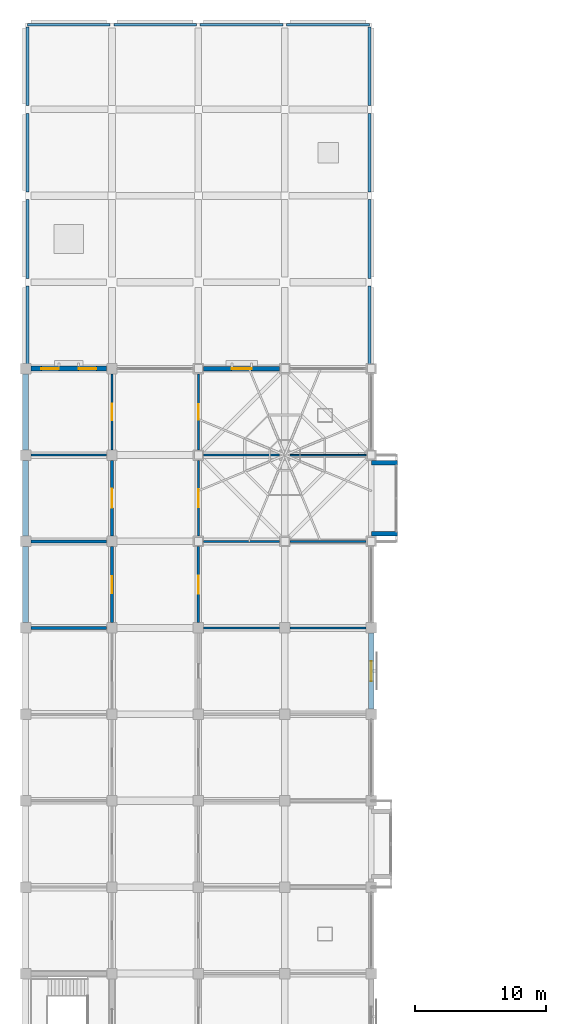
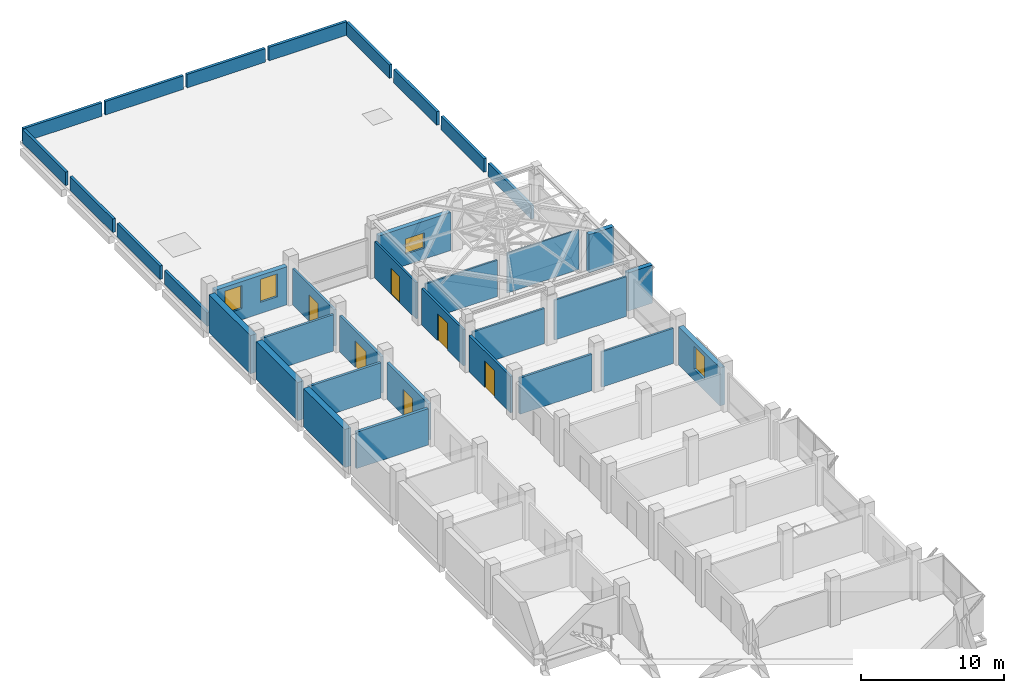
# One storey, part 23 of 30: 35 walls, 6 doors, 4 windows, 10 openings.
"""IFC4 building model written with IfcOpenShell, lengths in metres."""

from ifc_helpers import new_model, si_unit, direction, frame, frame_2d, origin, place, context, subcontext, project, spatial, rectangle, extrude, material, layer, layer_set, type_object, element, fill, save


model = new_model("IFC4")

# Units and contexts
model_context = context("Model", 3, precision=1e-05, world=origin(), true_north=direction((0.0, 1.0)))
body_context = subcontext(model_context, "Body", "Model", "MODEL_VIEW")
ifc_project = project(units=[si_unit("LENGTHUNIT", "METRE"), si_unit("AREAUNIT", "SQUARE_METRE"), si_unit("VOLUMEUNIT", "CUBIC_METRE"), si_unit("PLANEANGLEUNIT", "RADIAN"), si_unit("MASSUNIT", "GRAM", prefix="KILO")], contexts=[model_context])

# Site, building, storey
site_placement = place(None, origin())
site = spatial("IfcSite", under=ifc_project, at=site_placement, CompositionType="ELEMENT")
building_placement = place(site_placement, origin())
building = spatial("IfcBuilding", under=site, at=building_placement, Name="Rusizi Kubbe Research Institute", CompositionType="ELEMENT")
storey_placement = place(building_placement, frame((0.0, 0.0, 10.199951171875)))
storey = spatial("IfcBuildingStorey", under=building, at=storey_placement, Name="L02", CompositionType="ELEMENT", Elevation=10.199951171875)

# Wall, openings, windows
ifc_material_1 = material(Name="Volcanic Basalt Ashlar Masonry", Category="masonry")
ifc_layer_1 = layer(ifc_material_1, 0.385009765625)
ifc_layer_set_1 = layer_set([ifc_layer_1], Name="Volcanic Basalt Ashlar Masonry")
wall_type_1 = type_object("IfcWallType", Name="EW-04", PredefinedType="SOLIDWALL", material=ifc_layer_set_1)
wall_1_placement = place(storey_placement, frame((0.39990234375, 118.800048828125, 0.0), z_axis=(0.0, 0.0, 1.0), x_axis=(1.0, 0.0, 0.0)))
wall_1 = element("IfcWall", 1, at=wall_1_placement, inside=storey, type_object=wall_type_1, Name="Ablaq Stone Exterior Wall L02 H0-18", PredefinedType="SOLIDWALL", context=body_context, shape_type="SweptSolid", body=[
    extrude(rectangle(XDim=5.800048828125, YDim=0.385009765625, at=frame_2d((2.89990234375, 0.0))), origin(), (0.0, 0.0, 1.0), 3.25),
])
opening_1_placement = place(wall_1_placement, frame((0.800048828125, 0.0, 0.949951171875)))
opening_1 = element("IfcOpeningElement", 2, at=opening_1_placement, cuts=wall_1, Name="Opening WN-16", PredefinedType="OPENING", context=body_context, shape_type="SweptSolid", body=[
    extrude(rectangle(XDim=1.340087890625, YDim=1.9599609375, at=frame_2d((0.669921875, 0.97998046875))), frame((0.0, 0.202392578125, 0.0), z_axis=(0.0, -1.0, 0.0), x_axis=(1.0, 0.0, 0.0)), (0.0, 0.0, 1.0), 0.405029296875),
])
opening_2_placement = place(wall_1_placement, frame((3.659912109375, 0.0, 0.949951171875)))
opening_2 = element("IfcOpeningElement", 3, at=opening_2_placement, cuts=wall_1, Name="Opening WN-16", PredefinedType="OPENING", context=body_context, shape_type="SweptSolid", body=[
    extrude(rectangle(XDim=1.340087890625, YDim=1.9599609375, at=frame_2d((0.669921875, 0.97998046875))), frame((0.0, 0.202392578125, 0.0), z_axis=(0.0, -1.0, 0.0), x_axis=(1.0, 0.0, 0.0)), (0.0, 0.0, 1.0), 0.405029296875),
])
ifc_material_2 = material(Name="Aluminium Frame and Solar-Control Double Glazing", Category="glass")
window_type_1 = type_object("IfcWindowType", Name="WN-16", PartitioningType="SINGLE_PANEL", PredefinedType="WINDOW", material=ifc_material_2)
window_1_placement = place(opening_1_placement, origin())
window_1 = element("IfcWindow", 4, at=window_1_placement, inside=storey, type_object=window_type_1, Name="Casement Window WN-16 L02", OverallHeight=1.9599609375, OverallWidth=1.340087890625, PartitioningType="SINGLE_PANEL", PredefinedType="WINDOW", context=body_context, shape_type="SweptSolid", body=[
    extrude(rectangle(XDim=1.340087890625, YDim=1.9599609375, at=frame_2d((0.669921875, 0.97998046875))), frame((0.0, 0.030029296875, 0.0), z_axis=(0.0, -1.0, 0.0), x_axis=(1.0, 0.0, 0.0)), (0.0, 0.0, 1.0), 0.06005859375),
])
fill(opening_1, window_1)
window_2_placement = place(opening_2_placement, origin())
window_2 = element("IfcWindow", 5, at=window_2_placement, inside=storey, type_object=window_type_1, Name="Casement Window WN-16 L02", OverallHeight=1.9599609375, OverallWidth=1.340087890625, PartitioningType="SINGLE_PANEL", PredefinedType="WINDOW", context=body_context, shape_type="SweptSolid", body=[
    extrude(rectangle(XDim=1.340087890625, YDim=1.9599609375, at=frame_2d((0.669921875, 0.97998046875))), frame((0.0, 0.030029296875, 0.0), z_axis=(0.0, -1.0, 0.0), x_axis=(1.0, 0.0, 0.0)), (0.0, 0.0, 1.0), 0.06005859375),
])
fill(opening_2, window_2)

# Wall, opening, window
wall_2_placement = place(storey_placement, frame((26.39990234375, 92.800048828125, 0.0), z_axis=(0.0, 0.0, 1.0), x_axis=(0.0, 1.0, 0.0)))
wall_2 = element("IfcWall", 6, at=wall_2_placement, inside=storey, type_object=wall_type_1, Name="Ablaq Stone Exterior Wall L02 V4-14", PredefinedType="SOLIDWALL", context=body_context, shape_type="SweptSolid", body=[
    extrude(rectangle(XDim=5.800048828125, YDim=0.385009765625, at=frame_2d((2.89990234375, 0.0))), origin(), (0.0, 0.0, 1.0), 3.25),
])
opening_3_placement = place(wall_2_placement, frame((2.139892578125, 0.0, 0.949951171875)))
opening_3 = element("IfcOpeningElement", 7, at=opening_3_placement, cuts=wall_2, Name="Opening WN-20", PredefinedType="OPENING", context=body_context, shape_type="SweptSolid", body=[
    extrude(rectangle(XDim=1.52001953125, YDim=1.9599609375, at=frame_2d((0.760009765625, 0.97998046875))), frame((0.0, 0.202392578125, 0.0), z_axis=(0.0, -1.0, 0.0), x_axis=(1.0, 0.0, 0.0)), (0.0, 0.0, 1.0), 0.405029296875),
])
ifc_material_3 = material(Name="Aluminium Frame and Solar-Control Double Glazing", Category="glass")
window_type_2 = type_object("IfcWindowType", Name="WN-20", PartitioningType="DOUBLE_PANEL_VERTICAL", PredefinedType="WINDOW", material=ifc_material_3)
window_3_placement = place(opening_3_placement, origin())
window_3 = element("IfcWindow", 8, at=window_3_placement, inside=storey, type_object=window_type_2, Name="Casement Window WN-20 L02", OverallHeight=1.9599609375, OverallWidth=1.52001953125, PartitioningType="DOUBLE_PANEL_VERTICAL", PredefinedType="WINDOW", context=body_context, shape_type="SweptSolid", body=[
    extrude(rectangle(XDim=1.52001953125, YDim=1.9599609375, at=frame_2d((0.760009765625, 0.97998046875))), frame((0.0, 0.030029296875, 0.0), z_axis=(0.0, -1.0, 0.0), x_axis=(1.0, 0.0, 0.0)), (0.0, 0.0, 1.0), 0.06005859375),
])
fill(opening_3, window_3)

ifc_material_4 = material(Name="Volcanic Basalt Ashlar Masonry", Category="masonry")
ifc_layer_2 = layer(ifc_material_4, 0.35498046875)
ifc_layer_set_2 = layer_set([ifc_layer_2], Name="Volcanic Basalt Ashlar Masonry")
wall_type_2 = type_object("IfcWallType", Name="EW-06", PredefinedType="SOLIDWALL", material=ifc_layer_set_2)
wall_3_placement = place(storey_placement, frame((13.60009765625, 118.800048828125, 0.0), z_axis=(0.0, 0.0, 1.0), x_axis=(1.0, 0.0, 0.0)))
wall_3 = element("IfcWall", 9, at=wall_3_placement, inside=storey, type_object=wall_type_2, Name="Ablaq Stone Exterior Wall L02 H2-18", PredefinedType="SOLIDWALL", context=body_context, shape_type="SweptSolid", body=[
    extrude(rectangle(XDim=5.7998046875, YDim=0.35498046875, at=frame_2d((2.89990234375, 0.0))), origin(), (0.0, 0.0, 1.0), 3.25),
])
opening_4_placement = place(wall_3_placement, frame((2.139892578125, 0.0, 0.949951171875)))
opening_4 = element("IfcOpeningElement", 10, at=opening_4_placement, cuts=wall_3, Name="Opening WN-17", PredefinedType="OPENING", context=body_context, shape_type="SweptSolid", body=[
    extrude(rectangle(XDim=1.52001953125, YDim=1.300048828125, at=frame_2d((0.760009765625, 0.64990234375))), frame((0.0, 0.1875, 0.0), z_axis=(0.0, -1.0, 0.0), x_axis=(1.0, 0.0, 0.0)), (0.0, 0.0, 1.0), 0.375),
])
ifc_material_5 = material(Name="Aluminium Frame and Solar-Control Double Glazing", Category="glass")
window_type_3 = type_object("IfcWindowType", Name="WN-17", PartitioningType="DOUBLE_PANEL_VERTICAL", PredefinedType="WINDOW", material=ifc_material_5)
window_4_placement = place(opening_4_placement, origin())
window_4 = element("IfcWindow", 11, at=window_4_placement, inside=storey, type_object=window_type_3, Name="Casement Window WN-17 L02", OverallHeight=1.300048828125, OverallWidth=1.52001953125, PartitioningType="DOUBLE_PANEL_VERTICAL", PredefinedType="WINDOW", context=body_context, shape_type="SweptSolid", body=[
    extrude(rectangle(XDim=1.52001953125, YDim=1.300048828125, at=frame_2d((0.760009765625, 0.64990234375))), frame((0.0, 0.030029296875, 0.0), z_axis=(0.0, -1.0, 0.0), x_axis=(1.0, 0.0, 0.0)), (0.0, 0.0, 1.0), 0.06005859375),
])
fill(opening_4, window_4)

# Walls
for number, where, z_axis, x_axis, name in (
    (12, (26.39990234375, 106.199951171875, 0.0), (0.0, 0.0, 1.0), (1.0, 0.0, 0.0), "Cumba Return Wall S L02 (4,16)"),
    (13, (26.39990234375, 111.60009765625, 0.0), (0.0, 0.0, 1.0), (1.0, 0.0, 0.0), "Cumba Return Wall N L02 (4,16)"),
):
    element("IfcWall", number, at=place(storey_placement, frame(where, z_axis=z_axis, x_axis=x_axis)), inside=storey, type_object=wall_type_2, Name=name, PredefinedType="SOLIDWALL", context=body_context, shape_type="SweptSolid", body=[
        extrude(rectangle(XDim=2.0, YDim=0.35498046875, at=frame_2d((1.0, 0.0))), origin(), (0.0, 0.0, 1.0), 3.25),
    ])
ifc_material_6 = material(Name="Concrete Blockwork Fire Partition", Category="masonry")
ifc_layer_3 = layer(ifc_material_6, 0.22509765625)
ifc_layer_set_3 = layer_set([ifc_layer_3], Name="Concrete Blockwork Fire Partition")
wall_type_3 = type_object("IfcWallType", Name="IW-01", PredefinedType="PARTITIONING", material=ifc_layer_set_3)
wall_4_placement = place(storey_placement, frame((0.39990234375, 99.0, 0.0), z_axis=(0.0, 0.0, 1.0), x_axis=(1.0, 0.0, 0.0)))
element("IfcWall", 14, at=wall_4_placement, inside=storey, type_object=wall_type_3, Name="Interior Partition Wall L02 H0-15", PredefinedType="PARTITIONING", context=body_context, shape_type="SweptSolid", body=[
    extrude(rectangle(XDim=5.800048828125, YDim=0.22509765625, at=frame_2d((2.89990234375, 0.0))), origin(), (0.0, 0.0, 1.0), 3.10009765625),
])

# Wall, opening, door
wall_5_placement = place(storey_placement, frame((6.60009765625, 99.39990234375, 0.0), z_axis=(0.0, 0.0, 1.0), x_axis=(0.0, 1.0, 0.0)))
wall_5 = element("IfcWall", 15, at=wall_5_placement, inside=storey, type_object=wall_type_3, Name="Interior Partition Wall L02 V1-15", PredefinedType="PARTITIONING", context=body_context, shape_type="SweptSolid", body=[
    extrude(rectangle(XDim=5.800048828125, YDim=0.22509765625, at=frame_2d((2.89990234375, 0.0))), origin(), (0.0, 0.0, 1.0), 3.10009765625),
])
opening_5_placement = place(wall_5_placement, frame((2.239990234375, 0.0, 0.0)))
opening_5 = element("IfcOpeningElement", 16, at=opening_5_placement, cuts=wall_5, Name="Opening LD-07", PredefinedType="OPENING", context=body_context, shape_type="SweptSolid", body=[
    extrude(rectangle(XDim=1.320068359375, YDim=2.199951171875, at=frame_2d((0.66015625, 1.10009765625))), frame((0.0, 0.12255859375, 0.0), z_axis=(0.0, -1.0, 0.0), x_axis=(1.0, 0.0, 0.0)), (0.0, 0.0, 1.0), 0.2451171875),
])
ifc_material_7 = material(Name="Brushed Stainless Steel Sliding Door", Category="steel")
door_type_1 = type_object("IfcDoorType", Name="LD-07", OperationType="DOUBLE_DOOR_SLIDING", PredefinedType="USERDEFINED", material=ifc_material_7)
door_1_placement = place(opening_5_placement, origin())
door_1 = element("IfcDoor", 17, at=door_1_placement, inside=storey, type_object=door_type_1, Name="Door to Clean Room Gowning Airlock (L02-ALK-15)", ObjectType="SLIDING DOOR", OperationType="DOUBLE_DOOR_SLIDING", OverallHeight=2.199951171875, OverallWidth=1.320068359375, PredefinedType="USERDEFINED", context=body_context, shape_type="SweptSolid", body=[
    extrude(rectangle(XDim=1.320068359375, YDim=2.199951171875, at=frame_2d((0.66015625, 1.10009765625))), frame((0.0, 0.02490234375, 0.0), z_axis=(0.0, -1.0, 0.0), x_axis=(1.0, 0.0, 0.0)), (0.0, 0.0, 1.0), 0.050048828125),
])
fill(opening_5, door_1)

# Wall
ifc_material_8 = material(Name="Insulated Cleanroom Partition", Category="masonry")
ifc_layer_4 = layer(ifc_material_8, 0.195068359375)
ifc_layer_set_4 = layer_set([ifc_layer_4], Name="Insulated Cleanroom Partition")
wall_type_4 = type_object("IfcWallType", Name="IW-02", PredefinedType="PARTITIONING", material=ifc_layer_set_4)
wall_6_placement = place(storey_placement, frame((0.39990234375, 105.60009765625, 0.0), z_axis=(0.0, 0.0, 1.0), x_axis=(1.0, 0.0, 0.0)))
element("IfcWall", 18, at=wall_6_placement, inside=storey, type_object=wall_type_4, Name="Interior Partition Wall L02 H0-16", PredefinedType="PARTITIONING", context=body_context, shape_type="SweptSolid", body=[
    extrude(rectangle(XDim=5.800048828125, YDim=0.195068359375, at=frame_2d((2.89990234375, 0.0))), origin(), (0.0, 0.0, 1.0), 3.0),
])

# Wall, opening, door
wall_7_placement = place(storey_placement, frame((6.60009765625, 106.0, 0.0), z_axis=(0.0, 0.0, 1.0), x_axis=(0.0, 1.0, 0.0)))
wall_7 = element("IfcWall", 19, at=wall_7_placement, inside=storey, type_object=wall_type_4, Name="Interior Partition Wall L02 V1-16", PredefinedType="PARTITIONING", context=body_context, shape_type="SweptSolid", body=[
    extrude(rectangle(XDim=5.800048828125, YDim=0.195068359375, at=frame_2d((2.89990234375, 0.0))), origin(), (0.0, 0.0, 1.0), 3.10009765625),
])
opening_6_placement = place(wall_7_placement, frame((2.159912109375, 0.0, 0.0)))
opening_6 = element("IfcOpeningElement", 20, at=opening_6_placement, cuts=wall_7, Name="Opening LD-08", PredefinedType="OPENING", context=body_context, shape_type="SweptSolid", body=[
    extrude(rectangle(XDim=1.47998046875, YDim=2.25, at=frame_2d((0.739990234375, 1.125))), frame((0.0, 0.107421875, 0.0), z_axis=(0.0, -1.0, 0.0), x_axis=(1.0, 0.0, 0.0)), (0.0, 0.0, 1.0), 0.215087890625),
])
ifc_material_9 = material(Name="Brushed Stainless Steel Sliding Door", Category="steel")
door_type_2 = type_object("IfcDoorType", Name="LD-08", OperationType="DOUBLE_DOOR_SLIDING", PredefinedType="USERDEFINED", material=ifc_material_9)
door_2_placement = place(opening_6_placement, origin())
door_2 = element("IfcDoor", 21, at=door_2_placement, inside=storey, type_object=door_type_2, Name="Door to ISO-6 Clean Room Suite (L02-CR-16)", ObjectType="SLIDING DOOR", OperationType="DOUBLE_DOOR_SLIDING", OverallHeight=2.25, OverallWidth=1.47998046875, PredefinedType="USERDEFINED", context=body_context, shape_type="SweptSolid", body=[
    extrude(rectangle(XDim=1.47998046875, YDim=2.25, at=frame_2d((0.739990234375, 1.125))), frame((0.0, 0.02490234375, 0.0), z_axis=(0.0, -1.0, 0.0), x_axis=(1.0, 0.0, 0.0)), (0.0, 0.0, 1.0), 0.050048828125),
])
fill(opening_6, door_2)

wall_8_placement = place(storey_placement, frame((13.199951171875, 99.39990234375, 0.0), z_axis=(0.0, 0.0, 1.0), x_axis=(0.0, 1.0, 0.0)))
wall_8 = element("IfcWall", 22, at=wall_8_placement, inside=storey, type_object=wall_type_4, Name="Interior Partition Wall L02 V2-15", PredefinedType="PARTITIONING", context=body_context, shape_type="SweptSolid", body=[
    extrude(rectangle(XDim=5.800048828125, YDim=0.195068359375, at=frame_2d((2.89990234375, 0.0))), origin(), (0.0, 0.0, 1.0), 3.10009765625),
])
opening_7_placement = place(wall_8_placement, frame((2.199951171875, 0.0, 0.0)))
opening_7 = element("IfcOpeningElement", 23, at=opening_7_placement, cuts=wall_8, Name="Opening D-12", PredefinedType="OPENING", context=body_context, shape_type="SweptSolid", body=[
    extrude(rectangle(XDim=1.39990234375, YDim=2.25, at=frame_2d((0.699951171875, 1.125))), frame((0.0, 0.107421875, 0.0), z_axis=(0.0, -1.0, 0.0), x_axis=(1.0, 0.0, 0.0)), (0.0, 0.0, 1.0), 0.215087890625),
])
ifc_material_10 = material(Name="Fire-Rated Steel Frame and Acoustic Timber Leaf", Category="wood")
door_type_3 = type_object("IfcDoorType", Name="ID-LAB-140", OperationType="NOTDEFINED", PredefinedType="DOOR", material=ifc_material_10)
door_3_placement = place(opening_7_placement, origin())
door_3 = element("IfcDoor", 24, at=door_3_placement, inside=storey, type_object=door_type_3, Name="Door to Bioscience Wet Laboratory (L02-NW-13)", OperationType="SINGLE_SWING_RIGHT", OverallHeight=2.25, OverallWidth=1.39990234375, PredefinedType="DOOR", context=body_context, shape_type="SweptSolid", body=[
    extrude(rectangle(XDim=1.39990234375, YDim=2.25, at=frame_2d((0.699951171875, 1.125))), frame((0.0, 0.02490234375, 0.0), z_axis=(0.0, -1.0, 0.0), x_axis=(1.0, 0.0, 0.0)), (0.0, 0.0, 1.0), 0.050048828125),
])
fill(opening_7, door_3)

# Wall
ifc_material_11 = material(Name="Acoustic Laboratory Partition", Category="masonry")
ifc_layer_5 = layer(ifc_material_11, 0.175048828125)
ifc_layer_set_5 = layer_set([ifc_layer_5], Name="Acoustic Laboratory Partition")
wall_type_5 = type_object("IfcWallType", Name="IW-03", PredefinedType="PARTITIONING", material=ifc_layer_set_5)
wall_9_placement = place(storey_placement, frame((0.39990234375, 112.199951171875, 0.0), z_axis=(0.0, 0.0, 1.0), x_axis=(1.0, 0.0, 0.0)))
element("IfcWall", 25, at=wall_9_placement, inside=storey, type_object=wall_type_5, Name="Interior Partition Wall L02 H0-17", PredefinedType="PARTITIONING", context=body_context, shape_type="SweptSolid", body=[
    extrude(rectangle(XDim=5.800048828125, YDim=0.175048828125, at=frame_2d((2.89990234375, 0.0))), origin(), (0.0, 0.0, 1.0), 3.10009765625),
])

# Wall, opening, door
wall_10_placement = place(storey_placement, frame((6.60009765625, 112.60009765625, 0.0), z_axis=(0.0, 0.0, 1.0), x_axis=(0.0, 1.0, 0.0)))
wall_10 = element("IfcWall", 26, at=wall_10_placement, inside=storey, type_object=wall_type_5, Name="Interior Partition Wall L02 V1-17", PredefinedType="PARTITIONING", context=body_context, shape_type="SweptSolid", body=[
    extrude(rectangle(XDim=5.7998046875, YDim=0.175048828125, at=frame_2d((2.89990234375, 0.0))), origin(), (0.0, 0.0, 1.0), 3.10009765625),
])
opening_8_placement = place(wall_10_placement, frame((2.27490234375, 0.0, 0.0)))
opening_8 = element("IfcOpeningElement", 27, at=opening_8_placement, cuts=wall_10, Name="Opening D-15", PredefinedType="OPENING", context=body_context, shape_type="SweptSolid", body=[
    extrude(rectangle(XDim=1.25, YDim=2.25, at=frame_2d((0.625, 1.125))), frame((0.0, 0.097412109375, 0.0), z_axis=(0.0, -1.0, 0.0), x_axis=(1.0, 0.0, 0.0)), (0.0, 0.0, 1.0), 0.195068359375),
])
ifc_material_12 = material(Name="Fire-Rated Steel Frame and Acoustic Timber Leaf", Category="wood")
door_type_4 = type_object("IfcDoorType", Name="ID-LAB-125", OperationType="NOTDEFINED", PredefinedType="DOOR", material=ifc_material_12)
door_4_placement = place(opening_8_placement, origin())
door_4 = element("IfcDoor", 28, at=door_4_placement, inside=storey, type_object=door_type_4, Name="Door to Clean Room Metrology Laboratory (L02-WSP-17)", OperationType="SINGLE_SWING_LEFT", OverallHeight=2.25, OverallWidth=1.25, PredefinedType="DOOR", context=body_context, shape_type="SweptSolid", body=[
    extrude(rectangle(XDim=1.25, YDim=2.25, at=frame_2d((0.625, 1.125))), frame((0.0, 0.02490234375, 0.0), z_axis=(0.0, -1.0, 0.0), x_axis=(1.0, 0.0, 0.0)), (0.0, 0.0, 1.0), 0.050048828125),
])
fill(opening_8, door_4)

wall_11_placement = place(storey_placement, frame((13.199951171875, 106.0, 0.0), z_axis=(0.0, 0.0, 1.0), x_axis=(0.0, 1.0, 0.0)))
wall_11 = element("IfcWall", 29, at=wall_11_placement, inside=storey, type_object=wall_type_5, Name="Interior Partition Wall L02 V2-16", PredefinedType="PARTITIONING", context=body_context, shape_type="SweptSolid", body=[
    extrude(rectangle(XDim=5.800048828125, YDim=0.175048828125, at=frame_2d((2.89990234375, 0.0))), origin(), (0.0, 0.0, 1.0), 3.10009765625),
])
opening_9_placement = place(wall_11_placement, frame((2.22509765625, 0.0, 0.0)))
opening_9 = element("IfcOpeningElement", 30, at=opening_9_placement, cuts=wall_11, Name="Opening D-13", PredefinedType="OPENING", context=body_context, shape_type="SweptSolid", body=[
    extrude(rectangle(XDim=1.35009765625, YDim=2.300048828125, at=frame_2d((0.675048828125, 1.14990234375))), frame((0.0, 0.097412109375, 0.0), z_axis=(0.0, -1.0, 0.0), x_axis=(1.0, 0.0, 0.0)), (0.0, 0.0, 1.0), 0.195068359375),
])
ifc_material_13 = material(Name="Fire-Rated Steel Frame and Acoustic Timber Leaf", Category="wood")
door_type_5 = type_object("IfcDoorType", Name="ID-LAB-135", OperationType="NOTDEFINED", PredefinedType="DOOR", material=ifc_material_13)
door_5_placement = place(opening_9_placement, origin())
door_5 = element("IfcDoor", 31, at=door_5_placement, inside=storey, type_object=door_type_5, Name="Door to Computational Dry Laboratory (L02-NW-14)", OperationType="SINGLE_SWING_LEFT", OverallHeight=2.300048828125, OverallWidth=1.35009765625, PredefinedType="DOOR", context=body_context, shape_type="SweptSolid", body=[
    extrude(rectangle(XDim=1.35009765625, YDim=2.300048828125, at=frame_2d((0.675048828125, 1.14990234375))), frame((0.0, 0.02490234375, 0.0), z_axis=(0.0, -1.0, 0.0), x_axis=(1.0, 0.0, 0.0)), (0.0, 0.0, 1.0), 0.050048828125),
])
fill(opening_9, door_5)

# Wall
wall_12_placement = place(storey_placement, frame((13.60009765625, 99.0, 0.0), z_axis=(0.0, 0.0, 1.0), x_axis=(1.0, 0.0, 0.0)))
element("IfcWall", 32, at=wall_12_placement, inside=storey, type_object=wall_type_5, Name="Interior Partition Wall L02 H2-15", PredefinedType="PARTITIONING", context=body_context, shape_type="SweptSolid", body=[
    extrude(rectangle(XDim=5.7998046875, YDim=0.175048828125, at=frame_2d((2.89990234375, 0.0))), origin(), (0.0, 0.0, 1.0), 3.10009765625),
])

# Wall, opening, door
ifc_material_14 = material(Name="Fire-Rated Corridor Partition", Category="masonry")
ifc_layer_6 = layer(ifc_material_14, 0.155029296875)
ifc_layer_set_6 = layer_set([ifc_layer_6], Name="Fire-Rated Corridor Partition")
wall_type_6 = type_object("IfcWallType", Name="IW-04", PredefinedType="PARTITIONING", material=ifc_layer_set_6)
wall_13_placement = place(storey_placement, frame((13.199951171875, 112.60009765625, 0.0), z_axis=(0.0, 0.0, 1.0), x_axis=(0.0, 1.0, 0.0)))
wall_13 = element("IfcWall", 33, at=wall_13_placement, inside=storey, type_object=wall_type_6, Name="Interior Partition Wall L02 V2-17", PredefinedType="PARTITIONING", context=body_context, shape_type="SweptSolid", body=[
    extrude(rectangle(XDim=5.7998046875, YDim=0.155029296875, at=frame_2d((2.89990234375, 0.0))), origin(), (0.0, 0.0, 1.0), 3.10009765625),
])
opening_10_placement = place(wall_13_placement, frame((2.31005859375, 0.0, 0.0)))
opening_10 = element("IfcOpeningElement", 34, at=opening_10_placement, cuts=wall_13, Name="Opening D-19", PredefinedType="OPENING", context=body_context, shape_type="SweptSolid", body=[
    extrude(rectangle(XDim=1.179931640625, YDim=2.199951171875, at=frame_2d((0.58984375, 1.10009765625))), frame((0.0, 0.08740234375, 0.0), z_axis=(0.0, -1.0, 0.0), x_axis=(1.0, 0.0, 0.0)), (0.0, 0.0, 1.0), 0.175048828125),
])
ifc_material_15 = material(Name="Fire-Rated Steel Frame and Acoustic Timber Leaf", Category="wood")
door_type_6 = type_object("IfcDoorType", Name="ID-OFF-118", OperationType="NOTDEFINED", PredefinedType="DOOR", material=ifc_material_15)
door_6_placement = place(opening_10_placement, origin())
door_6 = element("IfcDoor", 35, at=door_6_placement, inside=storey, type_object=door_type_6, Name="Door to Write-up Office (L02-NW-15)", OperationType="SINGLE_SWING_RIGHT", OverallHeight=2.199951171875, OverallWidth=1.179931640625, PredefinedType="DOOR", context=body_context, shape_type="SweptSolid", body=[
    extrude(rectangle(XDim=1.179931640625, YDim=2.199951171875, at=frame_2d((0.58984375, 1.10009765625))), frame((0.0, 0.02490234375, 0.0), z_axis=(0.0, -1.0, 0.0), x_axis=(1.0, 0.0, 0.0)), (0.0, 0.0, 1.0), 0.050048828125),
])
fill(opening_10, door_6)

# Walls
wall_14_placement = place(storey_placement, frame((13.60009765625, 105.60009765625, 0.0), z_axis=(0.0, 0.0, 1.0), x_axis=(1.0, 0.0, 0.0)))
element("IfcWall", 36, at=wall_14_placement, inside=storey, type_object=wall_type_6, Name="Interior Partition Wall L02 H2-16", PredefinedType="PARTITIONING", context=body_context, shape_type="SweptSolid", body=[
    extrude(rectangle(XDim=5.7998046875, YDim=0.155029296875, at=frame_2d((2.89990234375, 0.0))), origin(), (0.0, 0.0, 1.0), 3.0),
])
wall_15_placement = place(storey_placement, frame((20.199951171875, 99.0, 0.0), z_axis=(0.0, 0.0, 1.0), x_axis=(1.0, 0.0, 0.0)))
element("IfcWall", 37, at=wall_15_placement, inside=storey, type_object=wall_type_6, Name="Interior Partition Wall L02 H3-15", PredefinedType="PARTITIONING", context=body_context, shape_type="SweptSolid", body=[
    extrude(rectangle(XDim=5.800048828125, YDim=0.155029296875, at=frame_2d((2.89990234375, 0.0))), origin(), (0.0, 0.0, 1.0), 3.0),
])
ifc_material_16 = material(Name="Write-up Glazed Acoustic Partition", Category="masonry")
ifc_layer_7 = layer(ifc_material_16, 0.139892578125)
ifc_layer_set_7 = layer_set([ifc_layer_7], Name="Write-up Glazed Acoustic Partition")
wall_type_7 = type_object("IfcWallType", Name="IW-05", PredefinedType="PARTITIONING", material=ifc_layer_set_7)
wall_16_placement = place(storey_placement, frame((13.60009765625, 112.199951171875, 0.0), z_axis=(0.0, 0.0, 1.0), x_axis=(1.0, 0.0, 0.0)))
element("IfcWall", 38, at=wall_16_placement, inside=storey, type_object=wall_type_7, Name="Interior Partition Wall L02 H2-17", PredefinedType="PARTITIONING", context=body_context, shape_type="SweptSolid", body=[
    extrude(rectangle(XDim=5.7998046875, YDim=0.139892578125, at=frame_2d((2.89990234375, 0.0))), origin(), (0.0, 0.0, 1.0), 3.10009765625),
])
wall_17_placement = place(storey_placement, frame((20.199951171875, 105.60009765625, 0.0), z_axis=(0.0, 0.0, 1.0), x_axis=(1.0, 0.0, 0.0)))
element("IfcWall", 39, at=wall_17_placement, inside=storey, type_object=wall_type_7, Name="Interior Partition Wall L02 H3-16", PredefinedType="PARTITIONING", context=body_context, shape_type="SweptSolid", body=[
    extrude(rectangle(XDim=5.800048828125, YDim=0.139892578125, at=frame_2d((2.89990234375, 0.0))), origin(), (0.0, 0.0, 1.0), 3.400146484375),
])
ifc_material_17 = material(Name="Sub-Suite Fire Partition", Category="masonry")
ifc_layer_8 = layer(ifc_material_17, 0.110107421875)
ifc_layer_set_8 = layer_set([ifc_layer_8], Name="Sub-Suite Fire Partition")
wall_type_8 = type_object("IfcWallType", Name="IW-07", PredefinedType="PARTITIONING", material=ifc_layer_set_8)
wall_18_placement = place(storey_placement, frame((20.199951171875, 112.199951171875, 0.0), z_axis=(0.0, 0.0, 1.0), x_axis=(1.0, 0.0, 0.0)))
element("IfcWall", 40, at=wall_18_placement, inside=storey, type_object=wall_type_8, Name="Interior Partition Wall L02 H3-17", PredefinedType="PARTITIONING", context=body_context, shape_type="SweptSolid", body=[
    extrude(rectangle(XDim=5.800048828125, YDim=0.110107421875, at=frame_2d((2.89990234375, 0.0))), origin(), (0.0, 0.0, 1.0), 3.400146484375),
])
ifc_material_18 = material(Name="Volcanic Basalt Ashlar Masonry", Category="masonry")
ifc_layer_9 = layer(ifc_material_18, 0.215087890625)
ifc_layer_set_9 = layer_set([ifc_layer_9], Name="Volcanic Basalt Ashlar Masonry")
wall_type_9 = type_object("IfcWallType", Name="PRP-02", PredefinedType="PARAPET", material=ifc_layer_set_9)
for number, where, z_axis, x_axis, name in (
    (41, (0.139892578125, 119.10009765625, 0.0), (0.0, 0.0, 1.0), (0.0, 1.0, 0.0), "Roof Parapet Wall L02-001"),
    (42, (0.139892578125, 125.699951171875, 0.0), (0.0, 0.0, 1.0), (0.0, 1.0, 0.0), "Roof Parapet Wall L02-002"),
    (43, (0.139892578125, 132.300048828125, 0.0), (0.0, 0.0, 1.0), (0.0, 1.0, 0.0), "Roof Parapet Wall L02-003"),
):
    element("IfcWall", number, at=place(storey_placement, frame(where, z_axis=z_axis, x_axis=x_axis)), inside=storey, type_object=wall_type_9, Name=name, PredefinedType="PARAPET", context=body_context, shape_type="SweptSolid", body=[
        extrude(rectangle(XDim=6.0, YDim=0.215087890625, at=frame_2d((3.0, 0.0))), origin(), (0.0, 0.0, 1.0), 1.150146484375),
    ])
wall_19_placement = place(storey_placement, frame((0.139892578125, 145.06005859375, 0.0), z_axis=(0.0, 0.0, 1.0), x_axis=(1.0, 0.0, 0.0)))
element("IfcWall", 44, at=wall_19_placement, inside=storey, type_object=wall_type_9, Name="Roof Parapet Wall L02-004", PredefinedType="PARAPET", context=body_context, shape_type="SweptSolid", body=[
    extrude(rectangle(XDim=6.320068359375, YDim=0.215087890625, at=frame_2d((3.16015625, 0.0))), origin(), (0.0, 0.0, 1.0), 1.150146484375),
])
wall_20_placement = place(storey_placement, frame((0.139892578125, 138.89990234375, 0.0), z_axis=(0.0, 0.0, 1.0), x_axis=(0.0, 1.0, 0.0)))
element("IfcWall", 45, at=wall_20_placement, inside=storey, type_object=wall_type_9, Name="Roof Parapet Wall L02-005", PredefinedType="PARAPET", context=body_context, shape_type="SweptSolid", body=[
    extrude(rectangle(XDim=6.0, YDim=0.215087890625, at=frame_2d((3.0, 0.0))), origin(), (0.0, 0.0, 1.0), 1.150146484375),
])
wall_21_placement = place(storey_placement, frame((6.739990234375, 145.06005859375, 0.0), z_axis=(0.0, 0.0, 1.0), x_axis=(1.0, 0.0, 0.0)))
element("IfcWall", 46, at=wall_21_placement, inside=storey, type_object=wall_type_9, Name="Roof Parapet Wall L02-006", PredefinedType="PARAPET", context=body_context, shape_type="SweptSolid", body=[
    extrude(rectangle(XDim=6.320068359375, YDim=0.215087890625, at=frame_2d((3.16015625, 0.0))), origin(), (0.0, 0.0, 1.0), 1.150146484375),
])
wall_22_placement = place(storey_placement, frame((13.340087890625, 145.06005859375, 0.0), z_axis=(0.0, 0.0, 1.0), x_axis=(1.0, 0.0, 0.0)))
element("IfcWall", 47, at=wall_22_placement, inside=storey, type_object=wall_type_9, Name="Roof Parapet Wall L02-007", PredefinedType="PARAPET", context=body_context, shape_type="SweptSolid", body=[
    extrude(rectangle(XDim=6.31982421875, YDim=0.215087890625, at=frame_2d((3.159912109375, 0.0))), origin(), (0.0, 0.0, 1.0), 1.150146484375),
])
for number, where, z_axis, x_axis, name in (
    (48, (26.260009765625, 119.10009765625, 0.0), (0.0, 0.0, 1.0), (0.0, 1.0, 0.0), "Roof Parapet Wall L02-008"),
    (49, (26.260009765625, 125.699951171875, 0.0), (0.0, 0.0, 1.0), (0.0, 1.0, 0.0), "Roof Parapet Wall L02-009"),
    (50, (26.260009765625, 132.300048828125, 0.0), (0.0, 0.0, 1.0), (0.0, 1.0, 0.0), "Roof Parapet Wall L02-010"),
):
    element("IfcWall", number, at=place(storey_placement, frame(where, z_axis=z_axis, x_axis=x_axis)), inside=storey, type_object=wall_type_9, Name=name, PredefinedType="PARAPET", context=body_context, shape_type="SweptSolid", body=[
        extrude(rectangle(XDim=6.0, YDim=0.215087890625, at=frame_2d((3.0, 0.0))), origin(), (0.0, 0.0, 1.0), 1.150146484375),
    ])
wall_23_placement = place(storey_placement, frame((19.93994140625, 145.06005859375, 0.0), z_axis=(0.0, 0.0, 1.0), x_axis=(1.0, 0.0, 0.0)))
element("IfcWall", 51, at=wall_23_placement, inside=storey, type_object=wall_type_9, Name="Roof Parapet Wall L02-011", PredefinedType="PARAPET", context=body_context, shape_type="SweptSolid", body=[
    extrude(rectangle(XDim=6.320068359375, YDim=0.215087890625, at=frame_2d((3.16015625, 0.0))), origin(), (0.0, 0.0, 1.0), 1.150146484375),
])
wall_24_placement = place(storey_placement, frame((26.260009765625, 138.89990234375, 0.0), z_axis=(0.0, 0.0, 1.0), x_axis=(0.0, 1.0, 0.0)))
element("IfcWall", 52, at=wall_24_placement, inside=storey, type_object=wall_type_9, Name="Roof Parapet Wall L02-012", PredefinedType="PARAPET", context=body_context, shape_type="SweptSolid", body=[
    extrude(rectangle(XDim=6.0, YDim=0.215087890625, at=frame_2d((3.0, 0.0))), origin(), (0.0, 0.0, 1.0), 1.150146484375),
])
ifc_material_19 = material(Name="Concrete C40/50", Category="concrete")
ifc_layer_10 = layer(ifc_material_19, 0.47998046875)
ifc_layer_set_10 = layer_set([ifc_layer_10], Name="Concrete C40/50")
wall_type_10 = type_object("IfcWallType", Name="PW-01", PredefinedType="SOLIDWALL", material=ifc_layer_set_10)
for number, where, z_axis, x_axis, name in (
    (53, (0.0, 99.39990234375, 0.0), (0.0, 0.0, 1.0), (0.0, 1.0, 0.0), "Blind Party Wall L02 V0-15"),
    (54, (0.0, 106.0, 0.0), (0.0, 0.0, 1.0), (0.0, 1.0, 0.0), "Blind Party Wall L02 V0-16"),
):
    element("IfcWall", number, at=place(storey_placement, frame(where, z_axis=z_axis, x_axis=x_axis)), inside=storey, type_object=wall_type_10, Name=name, PredefinedType="SOLIDWALL", context=body_context, shape_type="SweptSolid", body=[
        extrude(rectangle(XDim=5.800048828125, YDim=0.47998046875, at=frame_2d((2.89990234375, 0.0))), origin(), (0.0, 0.0, 1.0), 3.25),
    ])
wall_25_placement = place(storey_placement, frame((0.0, 112.60009765625, 0.0), z_axis=(0.0, 0.0, 1.0), x_axis=(0.0, 1.0, 0.0)))
element("IfcWall", 55, at=wall_25_placement, inside=storey, type_object=wall_type_10, Name="Blind Party Wall L02 V0-17", PredefinedType="SOLIDWALL", context=body_context, shape_type="SweptSolid", body=[
    extrude(rectangle(XDim=5.7998046875, YDim=0.47998046875, at=frame_2d((2.89990234375, 0.0))), origin(), (0.0, 0.0, 1.0), 3.25),
])

save(model, "model.ifc")
